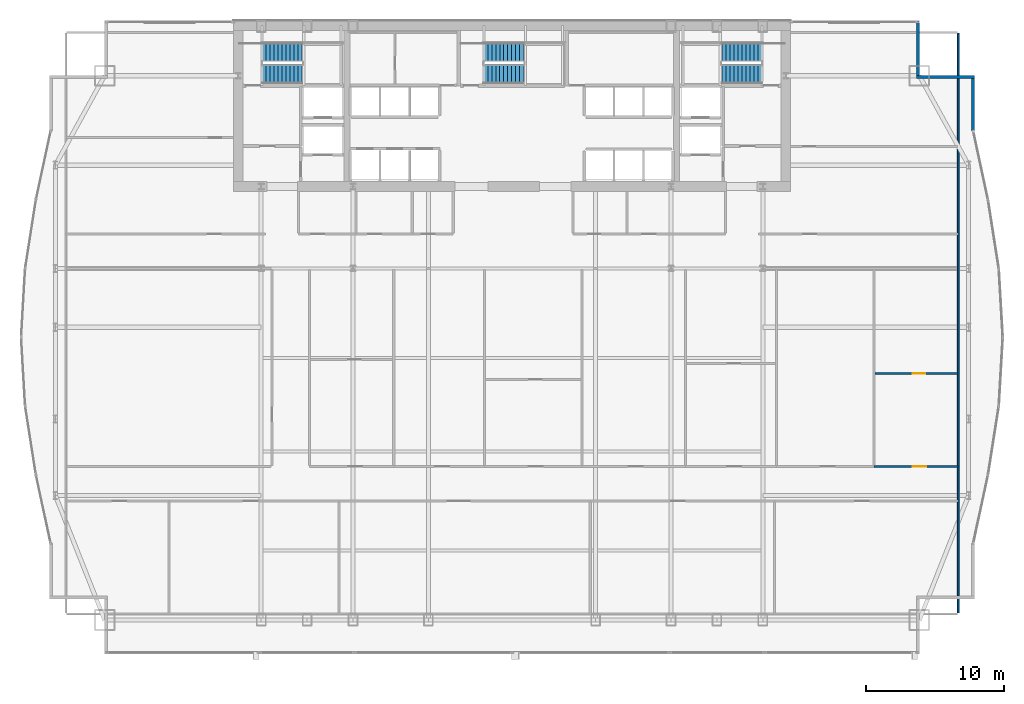
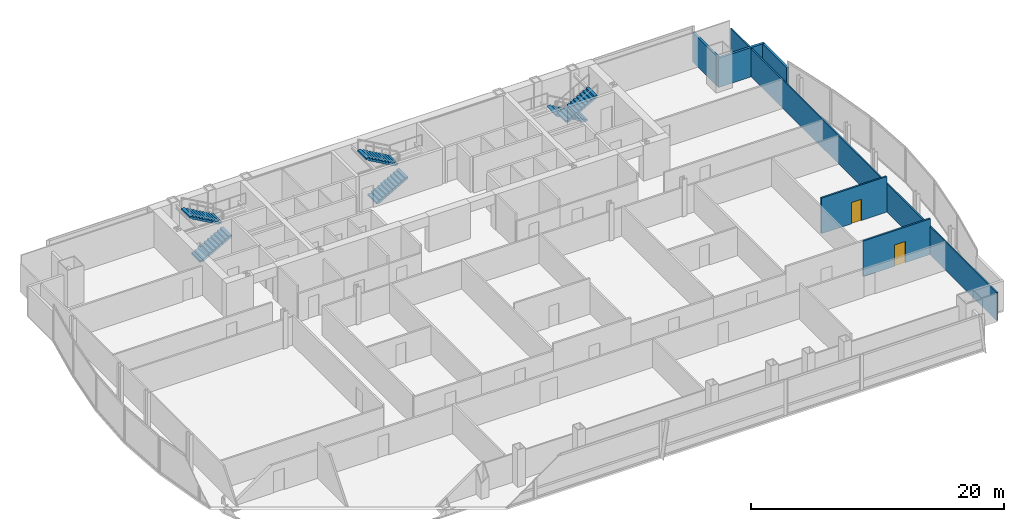
# One storey, part 29 of 32: 6 stair flights, 6 walls, 2 doors, 2 openings, 3 elements without a shape of their own.
"""IFC4 building model written with IfcOpenShell, lengths in metres."""

import ifcopenshell
import ifcopenshell.guid

model = None  # the IFC model being written
_history = None  # IfcOwnerHistory: only IFC2X3 demands one
_inside = {}  # id of a spatial element -> (the spatial element, [elements in it])
_under = {}  # id of a project, library or spatial element -> (it, [spatial elements below it])
_declared = {}  # id of a project -> (the project, [libraries it declares])
_typed = {}  # id of a type object -> (the type object, [elements of that type])
_made_of = {}  # id of a material, layer set ... -> (it, [elements and type objects made of it])


def new_model(schema):
    """Start an empty IFC model of exactly this schema.

    Asked for "IFC4X3", IfcOpenShell would pick the latest addendum, in which some entities
    have other attributes; the version numbers below select the first issue.
    IFC2X3 requires an IfcOwnerHistory on every rooted entity: one is made here for all.
    """
    global model, _history
    if schema == "IFC4X3":
        model = ifcopenshell.file(schema_version=(4, 3, 0, 0))
    else:
        model = ifcopenshell.file(schema=schema)
    _inside.clear()
    _under.clear()
    _declared.clear()
    _typed.clear()
    _made_of.clear()
    _history = None
    if model.schema == "IFC2X3":
        org = make("IfcOrganization", Name="unknown")
        user = make(
            "IfcPersonAndOrganization",
            ThePerson=make("IfcPerson", FamilyName="unknown"),
            TheOrganization=org,
        )
        app = make(
            "IfcApplication",
            ApplicationDeveloper=org,
            Version="unknown",
            ApplicationFullName="unknown",
            ApplicationIdentifier="unknown",
        )
        _history = make(
            "IfcOwnerHistory",
            OwningUser=user,
            OwningApplication=app,
            ChangeAction="ADDED",
            CreationDate=0,
        )
    return model


def make(cls, **values):
    """One entity of the class cls with the attributes given. An attribute that is None is left unset."""
    return model.create_entity(
        cls, **{name: value for name, value in values.items() if value is not None}
    )


def rooted(cls, **values):
    """An entity with a GlobalId (a new one), such as an element, a storey or a relation."""
    return make(cls, GlobalId=ifcopenshell.guid.new(), OwnerHistory=_history, **values)


def si_unit(unit_type, name, prefix=None):
    """IfcSIUnit, for example si_unit("LENGTHUNIT", "METRE", prefix="MILLI")."""
    return make("IfcSIUnit", UnitType=unit_type, Prefix=prefix, Name=name)


def assignment(units):
    """IfcUnitAssignment: the units of a project."""
    return None if units is None else make("IfcUnitAssignment", Units=units)


def point(xyz):
    """IfcCartesianPoint."""
    return None if xyz is None else make("IfcCartesianPoint", Coordinates=xyz)


def direction(xyz):
    """IfcDirection."""
    return None if xyz is None else make("IfcDirection", DirectionRatios=xyz)


def frame(location, z_axis=None, x_axis=None):
    """IfcAxis2Placement3D, a coordinate frame: its origin and axes. An axis left out is left unset."""
    return make(
        "IfcAxis2Placement3D",
        Location=point(location),
        Axis=direction(z_axis),
        RefDirection=direction(x_axis),
    )


def frame_2d(location, x_axis=None):
    """IfcAxis2Placement2D, a coordinate frame in the plane: its origin and x axis."""
    return make(
        "IfcAxis2Placement2D", Location=point(location), RefDirection=direction(x_axis)
    )


def origin():
    """The frame at (0, 0, 0) with its axes left unset."""
    return frame((0.0, 0.0, 0.0))


def place(relative_to, where):
    """IfcLocalPlacement: puts the frame where relative to a parent placement (None: the world)."""
    return make(
        "IfcLocalPlacement", PlacementRelTo=relative_to, RelativePlacement=where
    )


def context(
    kind, dimensions, precision=None, world=None, true_north=None, identifier=None
):
    """IfcGeometricRepresentationContext, for example the 3D "Model" context."""
    return make(
        "IfcGeometricRepresentationContext",
        ContextIdentifier=identifier,
        ContextType=kind,
        CoordinateSpaceDimension=dimensions,
        Precision=precision,
        WorldCoordinateSystem=world,
        TrueNorth=true_north,
    )


def subcontext(parent, identifier, kind, view, scale=None):
    """IfcGeometricRepresentationSubContext, for example "Body" below "Model"."""
    return make(
        "IfcGeometricRepresentationSubContext",
        ContextIdentifier=identifier,
        ContextType=kind,
        ParentContext=parent,
        TargetScale=scale,
        TargetView=view,
    )


def project(units=None, contexts=None):
    """IfcProject with its units and contexts."""
    return rooted(
        "IfcProject",
        Name="project",
        RepresentationContexts=contexts,
        UnitsInContext=assignment(units),
    )


def spatial(cls, under=None, at=None, **own):
    """A site, building, storey or space (cls), placed at a placement, below another one or the project."""
    s = rooted(cls, ObjectPlacement=at, **own)
    if under is not None:
        _under.setdefault(under.id(), (under, []))[1].append(s)
    return s


def polyline(points):
    """IfcPolyline through the points."""
    return make("IfcPolyline", Points=[point(p) for p in points])


def profile(cls, at=None, kind="AREA", **sizes):
    """A parametric profile (cls). Its sizes go by their IFC names, for example OverallWidth=200.0."""
    return make(cls, ProfileType=kind, Position=at, **sizes)


def rectangle(**sizes):
    """IfcRectangleProfileDef."""
    return profile("IfcRectangleProfileDef", **sizes)


def outline(outer, holes=None, kind="AREA"):
    """IfcArbitraryClosedProfileDef: a profile drawn as a closed curve; with holes, ...WithVoids."""
    if holes is None:
        return make("IfcArbitraryClosedProfileDef", ProfileType=kind, OuterCurve=outer)
    return make(
        "IfcArbitraryProfileDefWithVoids",
        ProfileType=kind,
        OuterCurve=outer,
        InnerCurves=holes,
    )


def extrude(swept, where, along, depth):
    """IfcExtrudedAreaSolid: the profile swept, set in the frame where, extruded along a direction by depth."""
    return make(
        "IfcExtrudedAreaSolid",
        SweptArea=swept,
        Position=where,
        ExtrudedDirection=direction(along),
        Depth=depth,
    )


def shape(context_of_items, identifier, shape_type, items):
    """IfcShapeRepresentation: the items that make up one representation, for example the "Body"."""
    return make(
        "IfcShapeRepresentation",
        ContextOfItems=context_of_items,
        RepresentationIdentifier=identifier,
        RepresentationType=shape_type,
        Items=items,
    )


def material(Name=None, Category=None):
    """IfcMaterial."""
    return make("IfcMaterial", Name=Name, Category=Category)


def layer(
    of_material, thickness, ventilated=None, Name=None, Category=None, Priority=None
):
    """IfcMaterialLayer: one layer of a wall or slab, of a material (None: an air gap)."""
    return make(
        "IfcMaterialLayer",
        Material=of_material,
        LayerThickness=thickness,
        IsVentilated=ventilated,
        Name=Name,
        Category=Category,
        Priority=Priority,
    )


def layer_set(layers, Name=None):
    """IfcMaterialLayerSet."""
    return make("IfcMaterialLayerSet", MaterialLayers=layers, LayerSetName=Name)


def made_of(thing, what):
    """Note that an element or type object is made of a material, layer set ...; save() writes the relation."""
    if what is not None:
        _made_of.setdefault(what.id(), (what, []))[1].append(thing)
    return thing


def type_object(cls, material=None, **own):
    """A type object (cls), such as IfcWallType, which elements share."""
    return made_of(rooted(cls, **own), material)


def element(
    cls,
    number,
    at=None,
    inside=None,
    cuts=None,
    type_object=None,
    material=None,
    context=None,
    identifier="Body",
    shape_type=None,
    held_by="IfcProductDefinitionShape",
    body=None,
    shapes=None,
    **own,
):
    """One element of the class cls, such as IfcWall. Its Tag is "e" and its number.

    at: its placement. inside: the storey or other place that contains it. cuts: it is an
    opening in that element (IfcRelVoidsElement). A single representation is given by context,
    identifier, shape_type and body (its items); several are given by shapes. held_by: the class
    of the entity that holds the representations. save() writes the other relations.
    """
    e = rooted(cls, Tag="e%d" % number, ObjectPlacement=at, **own)
    if body is not None:
        shapes = [shape(context, identifier, shape_type, body)]
    if shapes is not None:
        e.Representation = make(held_by, Representations=shapes)
    if inside is not None:
        _inside.setdefault(inside.id(), (inside, []))[1].append(e)
    if cuts is not None:
        rooted(
            "IfcRelVoidsElement", RelatingBuildingElement=cuts, RelatedOpeningElement=e
        )
    if type_object is not None:
        _typed.setdefault(type_object.id(), (type_object, []))[1].append(e)
    return made_of(e, material)


def fill(opening, filler):
    """IfcRelFillsElement: the door or window that sits in an opening."""
    return rooted(
        "IfcRelFillsElement",
        RelatingOpeningElement=opening,
        RelatedBuildingElement=filler,
    )


def aggregate(whole, parts):
    """IfcRelAggregates: a whole, such as a stair, and the parts it consists of."""
    return rooted("IfcRelAggregates", RelatingObject=whole, RelatedObjects=parts)


def save(model, path):
    """Write the relations noted so far, then the file.

    IfcRelAggregates (storeys below a building ...), IfcRelContainedInSpatialStructure (elements
    in a storey), IfcRelDefinesByType, IfcRelAssociatesMaterial and IfcRelDeclares: one each for
    every whole, place, type object, material and project.
    """
    for whole, parts in _under.values():
        aggregate(whole, parts)
    for where, things in _inside.values():
        rooted(
            "IfcRelContainedInSpatialStructure",
            RelatedElements=things,
            RelatingStructure=where,
        )
    for kind, things in _typed.values():
        rooted("IfcRelDefinesByType", RelatedObjects=things, RelatingType=kind)
    for what, things in _made_of.values():
        rooted("IfcRelAssociatesMaterial", RelatedObjects=things, RelatingMaterial=what)
    for by, libraries in _declared.values():
        rooted("IfcRelDeclares", RelatingContext=by, RelatedDefinitions=libraries)
    model.write(path)


model = new_model("IFC4")

# Units and contexts
model_context = context("Model", 3, precision=1e-05, world=origin(), true_north=direction((0.0, 1.0)))
body_context = subcontext(model_context, "Body", "Model", "MODEL_VIEW")
ifc_project = project(units=[si_unit("LENGTHUNIT", "METRE"), si_unit("AREAUNIT", "SQUARE_METRE"), si_unit("VOLUMEUNIT", "CUBIC_METRE"), si_unit("PLANEANGLEUNIT", "RADIAN"), si_unit("MASSUNIT", "GRAM", prefix="KILO")], contexts=[model_context])

# Site, building, storey
site_placement = place(None, origin())
site = spatial("IfcSite", under=ifc_project, at=site_placement, CompositionType="ELEMENT")
building_placement = place(site_placement, origin())
building = spatial("IfcBuilding", under=site, at=building_placement, Name="Khoronbel Lancet Exchange", CompositionType="ELEMENT")
storey_placement = place(building_placement, frame((0.0, 0.0, 111.0)))
storey = spatial("IfcBuildingStorey", under=building, at=storey_placement, Name="L26", CompositionType="ELEMENT", Elevation=111.0)

# Walls
ifc_material_1 = material(Name="Precast concrete C40/50", Category="concrete")
ifc_layer_1 = layer(ifc_material_1, 0.25, Name="Precast concrete C40/50")
ifc_layer_set_1 = layer_set([ifc_layer_1], Name="Precast concrete C40/50")
wall_type_1 = type_object("IfcWallType", Name="WL-EXT250", PredefinedType="SOLIDWALL", material=ifc_layer_set_1)
wall_1_placement = place(storey_placement, frame((65.9599609375, 53.6298828125, 0.0), z_axis=(0.0, 0.0, 1.0), x_axis=(0.0, -1.0, 0.0)))
element("IfcWall", 1, at=wall_1_placement, inside=storey, type_object=wall_type_1, Name="Level L26 notched-corner limestone pier 14", PredefinedType="SOLIDWALL", context=body_context, shape_type="SweptSolid", body=[
    extrude(rectangle(XDim=3.909912109375, YDim=0.219970703125, at=frame_2d((1.955078125, 0.0))), origin(), (0.0, 0.0, 1.0), 2.830078125),
])
wall_2_placement = place(storey_placement, frame((65.85009765625, 49.610107421875, 0.0), z_axis=(0.0, 0.0, 1.0), x_axis=(1.0, 0.0, 0.0)))
element("IfcWall", 2, at=wall_2_placement, inside=storey, type_object=wall_type_1, Name="Level L26 notched-corner limestone pier 15", PredefinedType="SOLIDWALL", context=body_context, shape_type="SweptSolid", body=[
    extrude(rectangle(XDim=4.219970703125, YDim=0.219970703125, at=frame_2d((2.10986328125, 0.0))), origin(), (0.0, 0.0, 1.0), 2.830078125),
])
wall_3_placement = place(storey_placement, frame((69.9599609375, 49.5, 0.0), z_axis=(0.0, 0.0, 1.0), x_axis=(0.0, -1.0, 0.0)))
element("IfcWall", 3, at=wall_3_placement, inside=storey, type_object=wall_type_1, Name="Level L26 notched-corner limestone pier 16", PredefinedType="SOLIDWALL", context=body_context, shape_type="SweptSolid", body=[
    extrude(rectangle(XDim=3.82958984375, YDim=0.219970703125, at=frame_2d((1.914794921875, 0.0))), origin(), (0.0, 0.0, 1.0), 2.830078125),
])

# Wall, opening, door
ifc_material_2 = material(Name="Acoustic Metal-Stud & Mineral-Wool Gypsum Partition 120 mm", Category="gypsum")
ifc_layer_2 = layer(ifc_material_2, 0.1201171875, Name="Acoustic Metal-Stud & Mineral-Wool Gypsum Partition 120 mm")
ifc_layer_set_2 = layer_set([ifc_layer_2], Name="Acoustic Metal-Stud & Mineral-Wool Gypsum Partition 120 mm")
wall_type_2 = type_object("IfcWallType", Name="WL-PRT120", PredefinedType="PARTITIONING", material=ifc_layer_set_2)
wall_4_placement = place(storey_placement, frame((62.82177734375, 28.068115234375, 0.0), z_axis=(0.0, 0.0, 1.0), x_axis=(1.0, 0.0, 0.0)))
wall_4 = element("IfcWall", 4, at=wall_4_placement, inside=storey, type_object=wall_type_2, Name="Level L26 interior partition PW-Z2N-H7", PredefinedType="PARTITIONING", context=body_context, shape_type="SweptSolid", body=[
    extrude(rectangle(XDim=5.983154296875, YDim=0.14990234375, at=frame_2d((2.99169921875, 0.0))), origin(), (0.0, 0.0, 1.0), 3.43994140625),
])
opening_1_placement = place(wall_4_placement, frame((2.7578125, 0.0, 0.0)))
opening_1 = element("IfcOpeningElement", 5, at=opening_1_placement, cuts=wall_4, Name="Opening D5", PredefinedType="OPENING", context=body_context, shape_type="SweptSolid", body=[
    extrude(rectangle(XDim=0.89990234375, YDim=2.050048828125, at=frame_2d((0.449951171875, 1.02490234375))), frame((0.0, 0.0849609375, 0.0), z_axis=(0.0, -1.0, 0.0), x_axis=(1.0, 0.0, 0.0)), (0.0, 0.0, 1.0), 0.169921875),
])
ifc_material_3 = material(Name="Acoustic Timber Pantry & Support Door", Category="wood")
door_type_1 = type_object("IfcDoorType", Name="DR-D5", OperationType="NOTDEFINED", PredefinedType="DOOR", material=ifc_material_3)
door_1_placement = place(opening_1_placement, origin())
door_1 = element("IfcDoor", 6, at=door_1_placement, inside=storey, type_object=door_type_1, Name="Z2N inner door 7 L26-1", OperationType="SINGLE_SWING_RIGHT", OverallHeight=2.050048828125, OverallWidth=0.89990234375, PredefinedType="DOOR", context=body_context, shape_type="SweptSolid", body=[
    extrude(rectangle(XDim=0.89990234375, YDim=2.050048828125, at=frame_2d((0.449951171875, 1.02490234375))), frame((0.0, 0.02490234375, 0.0), z_axis=(0.0, -1.0, 0.0), x_axis=(1.0, 0.0, 0.0)), (0.0, 0.0, 1.0), 0.050048828125),
])
fill(opening_1, door_1)

# Wall
wall_5_placement = place(storey_placement, frame((68.8701171875, 10.6650390625, 0.0), z_axis=(0.0, 0.0, 1.0), x_axis=(0.0, 1.0, 0.0)))
element("IfcWall", 7, at=wall_5_placement, inside=storey, type_object=wall_type_2, Name="Level L26 interior partition PW-LIN-E", PredefinedType="PARTITIONING", context=body_context, shape_type="SweptSolid", body=[
    extrude(rectangle(XDim=42.10986328125, YDim=0.1201171875, at=frame_2d((21.054931640625, 0.0))), origin(), (0.0, 0.0, 1.0), 2.72998046875),
])

# Wall, opening, door
ifc_material_4 = material(Name="Fire-Rated Twin-Stud Acoustic Gypsum Partition 160 mm", Category="gypsum")
ifc_layer_3 = layer(ifc_material_4, 0.159912109375, Name="Fire-Rated Twin-Stud Acoustic Gypsum Partition 160 mm")
ifc_layer_set_3 = layer_set([ifc_layer_3], Name="Fire-Rated Twin-Stud Acoustic Gypsum Partition 160 mm")
wall_type_3 = type_object("IfcWallType", Name="WL-PRT160C", PredefinedType="PARTITIONING", material=ifc_layer_set_3)
wall_6_placement = place(storey_placement, frame((62.74169921875, 21.300048828125, 0.0), z_axis=(0.0, 0.0, 1.0), x_axis=(1.0, 0.0, 0.0)))
wall_6 = element("IfcWall", 8, at=wall_6_placement, inside=storey, type_object=wall_type_3, Name="Level L26 interior partition PW-Z2N-COR7", PredefinedType="PARTITIONING", context=body_context, shape_type="SweptSolid", body=[
    extrude(rectangle(XDim=6.12841796875, YDim=0.159912109375, at=frame_2d((3.064208984375, 0.0))), origin(), (0.0, 0.0, 1.0), 3.43994140625),
])
opening_2_placement = place(wall_6_placement, frame((2.82373046875, 0.0, 0.0)))
opening_2 = element("IfcOpeningElement", 9, at=opening_2_placement, cuts=wall_6, Name="Opening D2", PredefinedType="OPENING", context=body_context, shape_type="SweptSolid", body=[
    extrude(rectangle(XDim=1.0, YDim=2.050048828125, at=frame_2d((0.5, 1.02490234375))), frame((0.0, 0.08984375, 0.0), z_axis=(0.0, -1.0, 0.0), x_axis=(1.0, 0.0, 0.0)), (0.0, 0.0, 1.0), 0.179931640625),
])
ifc_material_5 = material(Name="Acoustic Veneered Timber & Bronze Frame Door", Category="wood")
door_type_2 = type_object("IfcDoorType", Name="DR-D2", OperationType="NOTDEFINED", PredefinedType="DOOR", material=ifc_material_5)
door_2_placement = place(opening_2_placement, origin())
door_2 = element("IfcDoor", 10, at=door_2_placement, inside=storey, type_object=door_type_2, Name="Z2N bay 7 door L26-1", OperationType="SINGLE_SWING_LEFT", OverallHeight=2.050048828125, OverallWidth=1.0, PredefinedType="DOOR", context=body_context, shape_type="SweptSolid", body=[
    extrude(rectangle(XDim=1.0, YDim=2.050048828125, at=frame_2d((0.5, 1.02490234375))), frame((0.0, 0.02490234375, 0.0), z_axis=(0.0, -1.0, 0.0), x_axis=(1.0, 0.0, 0.0)), (0.0, 0.0, 1.0), 0.050048828125),
])
fill(opening_2, door_2)

# Stair, stair flights
ifc_material_6 = material(Name="Concrete C40/50", Category="concrete")
stair_type = type_object("IfcStairType", Name="STR-CORE150", PredefinedType="HALF_TURN_STAIR", material=ifc_material_6)
stair_1_placement = place(storey_placement, origin())
stair_1 = element("IfcStair", 11, at=stair_1_placement, inside=storey, type_object=stair_type, Name="L26 Protected Exit Stair ST1", PredefinedType="HALF_TURN_STAIR")
stair_flight_type = type_object("IfcStairFlightType", Name="STF-150", PredefinedType="STRAIGHT", material=ifc_material_6)
stair_flight_1_placement = place(storey_placement, frame((18.300048828125, 49.81005859375, 0.0), z_axis=(0.0, 0.0, 1.0), x_axis=(1.0, 0.0, 0.0)))
stair_flight_1 = element("IfcStairFlight", 12, at=stair_flight_1_placement, type_object=stair_flight_type, Name="ST1 flight 1", NumberOfRisers=11, NumberOfTreads=10, PredefinedType="STRAIGHT", RiserHeight=0.163636364, TreadLength=0.29, context=body_context, shape_type="SweptSolid", body=[
    extrude(outline(polyline([(0.0, 0.0), (0.0, 0.16357421875), (0.2900390625, 0.16357421875), (0.2900390625, 0.327392578125), (0.580078125, 0.327392578125), (0.580078125, 0.490966796875), (0.8701171875, 0.490966796875), (0.8701171875, 0.654541015625), (1.159912109375, 0.654541015625), (1.159912109375, 0.818115234375), (1.449951171875, 0.818115234375), (1.449951171875, 0.98193359375), (1.739990234375, 0.98193359375), (1.739990234375, 1.1455078125), (2.030029296875, 1.1455078125), (2.030029296875, 1.30908203125), (2.320068359375, 1.30908203125), (2.320068359375, 1.47265625), (2.610107421875, 1.47265625), (2.610107421875, 1.636474609375), (2.89990234375, 1.636474609375), (2.89990234375, 1.800048828125), (2.89990234375, 1.46435546875), (0.304931640625, 0.0), (0.0, 0.0)])), frame((0.0, 0.68994140625, 0.0), z_axis=(0.0, -1.0, 0.0), x_axis=(1.0, 0.0, 0.0)), (0.0, 0.0, 1.0), 1.3798828125),
])
stair_flight_2_placement = place(storey_placement, frame((21.199951171875, 51.409912109375, 1.800048828125), z_axis=(0.0, 0.0, 1.0), x_axis=(-1.0, 0.0, 0.0)))
stair_flight_2 = element("IfcStairFlight", 13, at=stair_flight_2_placement, type_object=stair_flight_type, Name="ST1 flight 2", NumberOfRisers=11, NumberOfTreads=10, PredefinedType="STRAIGHT", RiserHeight=0.163636364, TreadLength=0.29, context=body_context, shape_type="SweptSolid", body=[
    extrude(outline(polyline([(0.0, 0.0), (0.0, 0.16357421875), (0.2900390625, 0.16357421875), (0.2900390625, 0.327392578125), (0.580078125, 0.327392578125), (0.580078125, 0.490966796875), (0.8701171875, 0.490966796875), (0.8701171875, 0.654541015625), (1.159912109375, 0.654541015625), (1.159912109375, 0.818115234375), (1.449951171875, 0.818115234375), (1.449951171875, 0.98193359375), (1.739990234375, 0.98193359375), (1.739990234375, 1.1455078125), (2.030029296875, 1.1455078125), (2.030029296875, 1.30908203125), (2.320068359375, 1.30908203125), (2.320068359375, 1.47265625), (2.610107421875, 1.47265625), (2.610107421875, 1.636474609375), (2.89990234375, 1.636474609375), (2.89990234375, 1.800048828125), (2.89990234375, 1.46435546875), (0.304931640625, 0.0), (0.0, 0.0)])), frame((0.0, 0.68994140625, 0.0), z_axis=(0.0, -1.0, 0.0), x_axis=(1.0, 0.0, 0.0)), (0.0, 0.0, 1.0), 1.3798828125),
])
aggregate(stair_1, [stair_flight_1, stair_flight_2])

stair_2_placement = place(storey_placement, origin())
stair_2 = element("IfcStair", 14, at=stair_2_placement, inside=storey, type_object=stair_type, Name="L26 Protected Exit Stair ST2", PredefinedType="HALF_TURN_STAIR")
stair_flight_3_placement = place(storey_placement, frame((54.60009765625, 51.409912109375, 0.0), z_axis=(0.0, 0.0, 1.0), x_axis=(-1.0, 0.0, 0.0)))
stair_flight_3 = element("IfcStairFlight", 15, at=stair_flight_3_placement, type_object=stair_flight_type, Name="ST2 flight 1", NumberOfRisers=11, NumberOfTreads=10, PredefinedType="STRAIGHT", RiserHeight=0.163636364, TreadLength=0.29, context=body_context, shape_type="SweptSolid", body=[
    extrude(outline(polyline([(0.0, 0.0), (0.0, 0.16357421875), (0.2900390625, 0.16357421875), (0.2900390625, 0.327392578125), (0.580078125, 0.327392578125), (0.580078125, 0.490966796875), (0.8701171875, 0.490966796875), (0.8701171875, 0.654541015625), (1.159912109375, 0.654541015625), (1.159912109375, 0.818115234375), (1.449951171875, 0.818115234375), (1.449951171875, 0.98193359375), (1.739990234375, 0.98193359375), (1.739990234375, 1.1455078125), (2.030029296875, 1.1455078125), (2.030029296875, 1.30908203125), (2.320068359375, 1.30908203125), (2.320068359375, 1.47265625), (2.610107421875, 1.47265625), (2.610107421875, 1.636474609375), (2.89990234375, 1.636474609375), (2.89990234375, 1.800048828125), (2.89990234375, 1.46435546875), (0.304931640625, 0.0), (0.0, 0.0)])), frame((0.0, 0.68994140625, 0.0), z_axis=(0.0, -1.0, 0.0), x_axis=(1.0, 0.0, 0.0)), (0.0, 0.0, 1.0), 1.3798828125),
])
stair_flight_4_placement = place(storey_placement, frame((51.699951171875, 49.81005859375, 1.800048828125), z_axis=(0.0, 0.0, 1.0), x_axis=(1.0, 0.0, 0.0)))
stair_flight_4 = element("IfcStairFlight", 16, at=stair_flight_4_placement, type_object=stair_flight_type, Name="ST2 flight 2", NumberOfRisers=11, NumberOfTreads=10, PredefinedType="STRAIGHT", RiserHeight=0.163636364, TreadLength=0.29, context=body_context, shape_type="SweptSolid", body=[
    extrude(outline(polyline([(0.0, 0.0), (0.0, 0.16357421875), (0.2900390625, 0.16357421875), (0.2900390625, 0.327392578125), (0.580078125, 0.327392578125), (0.580078125, 0.490966796875), (0.8701171875, 0.490966796875), (0.8701171875, 0.654541015625), (1.159912109375, 0.654541015625), (1.159912109375, 0.818115234375), (1.449951171875, 0.818115234375), (1.449951171875, 0.98193359375), (1.739990234375, 0.98193359375), (1.739990234375, 1.1455078125), (2.030029296875, 1.1455078125), (2.030029296875, 1.30908203125), (2.320068359375, 1.30908203125), (2.320068359375, 1.47265625), (2.610107421875, 1.47265625), (2.610107421875, 1.636474609375), (2.89990234375, 1.636474609375), (2.89990234375, 1.800048828125), (2.89990234375, 1.46435546875), (0.304931640625, 0.0), (0.0, 0.0)])), frame((0.0, 0.68994140625, 0.0), z_axis=(0.0, -1.0, 0.0), x_axis=(1.0, 0.0, 0.0)), (0.0, 0.0, 1.0), 1.3798828125),
])
aggregate(stair_2, [stair_flight_3, stair_flight_4])

stair_3_placement = place(storey_placement, origin())
stair_3 = element("IfcStair", 17, at=stair_3_placement, inside=storey, type_object=stair_type, Name="L26 Protected Exit Stair ST3", PredefinedType="HALF_TURN_STAIR")
stair_flight_5_placement = place(storey_placement, frame((34.39990234375, 49.81005859375, 0.0), z_axis=(0.0, 0.0, 1.0), x_axis=(1.0, 0.0, 0.0)))
stair_flight_5 = element("IfcStairFlight", 18, at=stair_flight_5_placement, type_object=stair_flight_type, Name="ST3 flight 1", NumberOfRisers=11, NumberOfTreads=10, PredefinedType="STRAIGHT", RiserHeight=0.163636364, TreadLength=0.29, context=body_context, shape_type="SweptSolid", body=[
    extrude(outline(polyline([(0.0, 0.0), (0.0, 0.16357421875), (0.2900390625, 0.16357421875), (0.2900390625, 0.327392578125), (0.580078125, 0.327392578125), (0.580078125, 0.490966796875), (0.8701171875, 0.490966796875), (0.8701171875, 0.654541015625), (1.159912109375, 0.654541015625), (1.159912109375, 0.818115234375), (1.449951171875, 0.818115234375), (1.449951171875, 0.98193359375), (1.739990234375, 0.98193359375), (1.739990234375, 1.1455078125), (2.030029296875, 1.1455078125), (2.030029296875, 1.30908203125), (2.320068359375, 1.30908203125), (2.320068359375, 1.47265625), (2.610107421875, 1.47265625), (2.610107421875, 1.636474609375), (2.89990234375, 1.636474609375), (2.89990234375, 1.800048828125), (2.89990234375, 1.46435546875), (0.304931640625, 0.0), (0.0, 0.0)])), frame((0.0, 0.68994140625, 0.0), z_axis=(0.0, -1.0, 0.0), x_axis=(1.0, 0.0, 0.0)), (0.0, 0.0, 1.0), 1.3798828125),
])
stair_flight_6_placement = place(storey_placement, frame((37.300048828125, 51.409912109375, 1.800048828125), z_axis=(0.0, 0.0, 1.0), x_axis=(-1.0, 0.0, 0.0)))
stair_flight_6 = element("IfcStairFlight", 19, at=stair_flight_6_placement, type_object=stair_flight_type, Name="ST3 flight 2", NumberOfRisers=11, NumberOfTreads=10, PredefinedType="STRAIGHT", RiserHeight=0.163636364, TreadLength=0.29, context=body_context, shape_type="SweptSolid", body=[
    extrude(outline(polyline([(0.0, 0.0), (0.0, 0.16357421875), (0.2900390625, 0.16357421875), (0.2900390625, 0.327392578125), (0.580078125, 0.327392578125), (0.580078125, 0.490966796875), (0.8701171875, 0.490966796875), (0.8701171875, 0.654541015625), (1.159912109375, 0.654541015625), (1.159912109375, 0.818115234375), (1.449951171875, 0.818115234375), (1.449951171875, 0.98193359375), (1.739990234375, 0.98193359375), (1.739990234375, 1.1455078125), (2.030029296875, 1.1455078125), (2.030029296875, 1.30908203125), (2.320068359375, 1.30908203125), (2.320068359375, 1.47265625), (2.610107421875, 1.47265625), (2.610107421875, 1.636474609375), (2.89990234375, 1.636474609375), (2.89990234375, 1.800048828125), (2.89990234375, 1.46435546875), (0.304931640625, 0.0), (0.0, 0.0)])), frame((0.0, 0.68994140625, 0.0), z_axis=(0.0, -1.0, 0.0), x_axis=(1.0, 0.0, 0.0)), (0.0, 0.0, 1.0), 1.3798828125),
])
aggregate(stair_3, [stair_flight_5, stair_flight_6])

save(model, "model.ifc")
